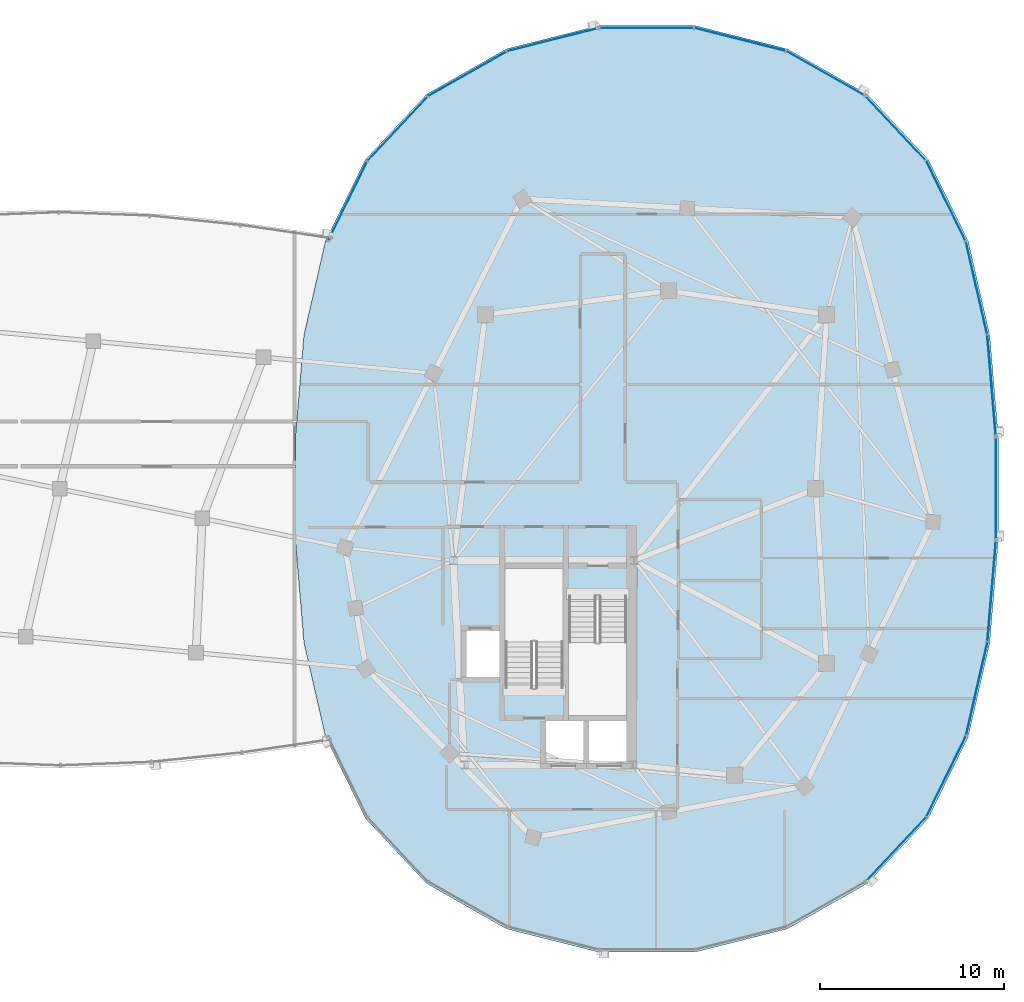
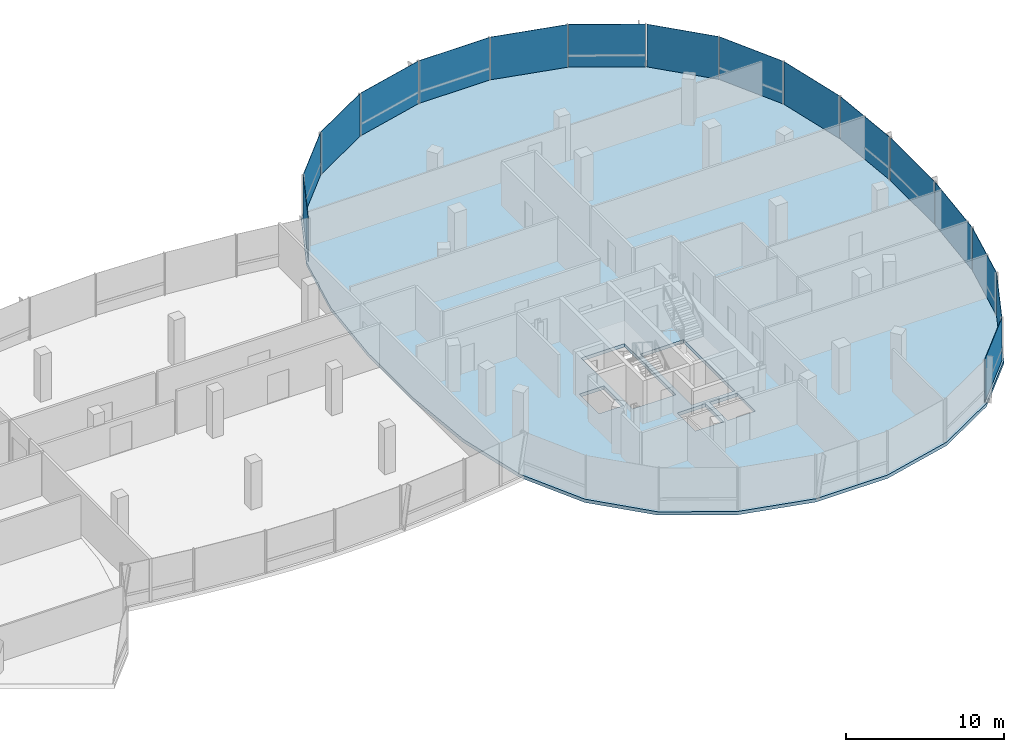
# One storey, part 13 of 26: 16 plates, 1 slab, 3 elements without a shape of their own.
"""IFC4 building model written with IfcOpenShell, lengths in metres."""

from ifc_helpers import new_model, si_unit, direction, frame, origin, origin_2d, place, context, subcontext, project, spatial, polyline, rectangle, outline, extrude, material, layer, layer_set, type_object, element, aggregate, save


model = new_model("IFC4")

# Units and contexts
model_context = context("Model", 3, precision=1e-05, world=origin(), true_north=direction((0.0, 1.0)))
body_context = subcontext(model_context, "Body", "Model", "MODEL_VIEW")
ifc_project = project(units=[si_unit("LENGTHUNIT", "METRE"), si_unit("AREAUNIT", "SQUARE_METRE"), si_unit("VOLUMEUNIT", "CUBIC_METRE"), si_unit("PLANEANGLEUNIT", "RADIAN"), si_unit("MASSUNIT", "GRAM", prefix="KILO"), si_unit("THERMODYNAMICTEMPERATUREUNIT", "KELVIN"), si_unit("POWERUNIT", "WATT")], contexts=[model_context])

# Site, building, storey
site_placement = place(None, origin())
site = spatial("IfcSite", under=ifc_project, at=site_placement, CompositionType="ELEMENT")
building_placement = place(site_placement, origin())
building = spatial("IfcBuilding", under=site, at=building_placement, Name="Cundina Bronze Exchange", CompositionType="ELEMENT")
storey_placement = place(building_placement, frame((0.0, 0.0, 261.199951171875)))
storey = spatial("IfcBuildingStorey", under=building, at=storey_placement, Name="L69", CompositionType="ELEMENT", Elevation=261.199951171875)

# Curtain wall, plates
ifc_material_1 = material(Name="Anodised Bronze Aluminium 6063-T6", Category="aluminium")
curtain_wall_type = type_object("IfcCurtainWallType", Name="CWS-SKG-BRG", PredefinedType="NOTDEFINED", material=ifc_material_1)
curtain_wall_1_placement = place(storey_placement, origin())
curtain_wall_1 = element("IfcCurtainWall", 1, at=curtain_wall_1_placement, inside=storey, type_object=curtain_wall_type, Name="L69 CW-06 Curtain Wall Run CWR-L69-E1", PredefinedType="NOTDEFINED")
ifc_material_2 = material(Name="Heat-Strengthened Solar-Control Bronze Safety Glass 28mm", Category="glass")
ifc_layer_1 = layer(ifc_material_2, 0.028076171875, Name="Heat-Strengthened Solar-Control Bronze Safety Glass 28mm", Category="glass")
ifc_layer_set_1 = layer_set([ifc_layer_1], Name="Heat-Strengthened Solar-Control Bronze Safety Glass 28mm")
plate_type_1 = type_object("IfcPlateType", Name="PLT-GLZ-VIS28", PredefinedType="CURTAIN_PANEL", material=ifc_layer_set_1)
plate_1_placement = place(storey_placement, frame((49.96923828125, 10.922607421875, 0.02001953125), z_axis=(0.0, 0.0, 1.0), x_axis=(-0.223284141459, 0.974753400698, 0.0)))
plate_1 = element("IfcPlate", 2, at=plate_1_placement, type_object=plate_type_1, Name="CW-06 Glazed Panel 2", PredefinedType="CURTAIN_PANEL", context=body_context, shape_type="SweptSolid", body=[
    extrude(rectangle(XDim=5.167724609375, YDim=0.028076171875, at=origin_2d()), origin(), (0.0, 0.0, 1.0), 3.300048828125),
])
plate_2_placement = place(storey_placement, frame((48.30126953125, 15.68017578125, 0.02001953125), z_axis=(0.0, 0.0, 1.0), x_axis=(-0.440503330345, 0.897750976582, 0.0)))
plate_2 = element("IfcPlate", 3, at=plate_2_placement, type_object=plate_type_1, Name="CW-06 Glazed Panel 3", PredefinedType="CURTAIN_PANEL", context=body_context, shape_type="SweptSolid", body=[
    extrude(rectangle(XDim=4.863525390625, YDim=0.028076171875, at=origin_2d()), origin(), (0.0, 0.0, 1.0), 3.300048828125),
])
plate_3_placement = place(storey_placement, frame((45.568115234375, 19.64501953125, 0.02001953125), z_axis=(0.0, 0.0, 1.0), x_axis=(-0.684343512797, 0.72915976061, 0.0)))
plate_3 = element("IfcPlate", 4, at=plate_3_placement, type_object=plate_type_1, Name="CW-06 Glazed Panel 4", PredefinedType="CURTAIN_PANEL", context=body_context, shape_type="SweptSolid", body=[
    extrude(rectangle(XDim=4.773193359375, YDim=0.028076171875, at=origin_2d()), origin(), (0.0, 0.0, 1.0), 3.300048828125),
])
plate_4_placement = place(storey_placement, frame((41.76171875, 22.6279296875, 0.02001953125), z_axis=(0.0, 0.0, 1.0), x_axis=(-0.869572506985, 0.493805280547, 0.0)))
plate_4 = element("IfcPlate", 5, at=plate_4_placement, type_object=plate_type_1, Name="CW-06 Glazed Panel 5", PredefinedType="CURTAIN_PANEL", context=body_context, shape_type="SweptSolid", body=[
    extrude(rectangle(XDim=4.907958984375, YDim=0.028076171875, at=origin_2d()), origin(), (0.0, 0.0, 1.0), 3.300048828125),
])
plate_5_placement = place(storey_placement, frame((32.0, 25.110107421875, 0.02001953125), z_axis=(0.0, 0.0, 1.0), x_axis=(-1.0, 0.0, 0.0)))
plate_5 = element("IfcPlate", 6, at=plate_5_placement, type_object=plate_type_1, Name="CW-06 Glazed Panel 7", PredefinedType="CURTAIN_PANEL", context=body_context, shape_type="SweptSolid", body=[
    extrude(rectangle(XDim=5.16796875, YDim=0.028076171875, at=origin_2d()), origin(), (0.0, 0.0, 1.0), 3.300048828125),
])

curtain_wall_2_placement = place(storey_placement, origin())
curtain_wall_2 = element("IfcCurtainWall", 7, at=curtain_wall_2_placement, inside=storey, type_object=curtain_wall_type, Name="L69 CW-06 Curtain Wall Run CWR-L69-E2", PredefinedType="NOTDEFINED")
plate_6_placement = place(storey_placement, frame((26.890625, 24.4814453125, 0.02001953125), z_axis=(0.0, 0.0, 1.0), x_axis=(-0.969731542251, -0.244173577528, 0.0)))
plate_6 = element("IfcPlate", 8, at=plate_6_placement, type_object=plate_type_1, Name="CW-06 Glazed Panel 1", PredefinedType="CURTAIN_PANEL", context=body_context, shape_type="SweptSolid", body=[
    extrude(rectangle(XDim=5.0908203125, YDim=0.028076171875, at=origin_2d()), origin(), (0.0, 0.0, 1.0), 3.300048828125),
])
plate_7_placement = place(storey_placement, frame((22.23828125, 22.6279296875, 0.02001953125), z_axis=(0.0, 0.0, 1.0), x_axis=(-0.869572506985, -0.493805280547, 0.0)))
plate_7 = element("IfcPlate", 9, at=plate_7_placement, type_object=plate_type_1, Name="CW-06 Glazed Panel 2", PredefinedType="CURTAIN_PANEL", context=body_context, shape_type="SweptSolid", body=[
    extrude(rectangle(XDim=4.907958984375, YDim=0.028076171875, at=origin_2d()), origin(), (0.0, 0.0, 1.0), 3.300048828125),
])
plate_8_placement = place(storey_placement, frame((18.431884765625, 19.64501953125, 0.02001953125), z_axis=(0.0, 0.0, 1.0), x_axis=(-0.684343512797, -0.72915976061, 0.0)))
plate_8 = element("IfcPlate", 10, at=plate_8_placement, type_object=plate_type_1, Name="CW-06 Glazed Panel 3", PredefinedType="CURTAIN_PANEL", context=body_context, shape_type="SweptSolid", body=[
    extrude(rectangle(XDim=4.773193359375, YDim=0.028076171875, at=origin_2d()), origin(), (0.0, 0.0, 1.0), 3.300048828125),
])
plate_9_placement = place(storey_placement, frame((15.69873046875, 15.68017578125, 0.02001953125), z_axis=(0.0, 0.0, 1.0), x_axis=(-0.440503330345, -0.897750976582, 0.0)))
plate_9 = element("IfcPlate", 11, at=plate_9_placement, type_object=plate_type_1, Name="CW-06 Glazed Panel 4", PredefinedType="CURTAIN_PANEL", context=body_context, shape_type="SweptSolid", body=[
    extrude(rectangle(XDim=4.863525390625, YDim=0.028076171875, at=origin_2d()), origin(), (0.0, 0.0, 1.0), 3.300048828125),
])
aggregate(curtain_wall_2, [plate_6, plate_7, plate_8, plate_9])

curtain_wall_3_placement = place(storey_placement, origin())
curtain_wall_3 = element("IfcCurtainWall", 12, at=curtain_wall_3_placement, inside=storey, type_object=curtain_wall_type, Name="L69 CW-06 Curtain Wall Run CWR-L69-E4", PredefinedType="NOTDEFINED")
plate_10_placement = place(storey_placement, frame((45.568115234375, -19.64501953125, 0.02001953125), z_axis=(0.0, 0.0, 1.0), x_axis=(0.684343512797, 0.72915976061, 0.0)))
plate_10 = element("IfcPlate", 13, at=plate_10_placement, type_object=plate_type_1, Name="CW-06 Glazed Panel 1", PredefinedType="CURTAIN_PANEL", context=body_context, shape_type="SweptSolid", body=[
    extrude(rectangle(XDim=4.773193359375, YDim=0.028076171875, at=origin_2d()), origin(), (0.0, 0.0, 1.0), 3.300048828125),
])
plate_11_placement = place(storey_placement, frame((48.30126953125, -15.68017578125, 0.02001953125), z_axis=(0.0, 0.0, 1.0), x_axis=(0.440503330345, 0.897750976582, 0.0)))
plate_11 = element("IfcPlate", 14, at=plate_11_placement, type_object=plate_type_1, Name="CW-06 Glazed Panel 2", PredefinedType="CURTAIN_PANEL", context=body_context, shape_type="SweptSolid", body=[
    extrude(rectangle(XDim=4.863525390625, YDim=0.028076171875, at=origin_2d()), origin(), (0.0, 0.0, 1.0), 3.300048828125),
])
plate_12_placement = place(storey_placement, frame((50.78662109375, -5.605712890625, 0.02001953125), z_axis=(0.0, 0.0, 1.0), x_axis=(0.083747411454, 0.996487015006, 0.0)))
plate_12 = element("IfcPlate", 15, at=plate_12_placement, type_object=plate_type_1, Name="CW-06 Glazed Panel 4", PredefinedType="CURTAIN_PANEL", context=body_context, shape_type="SweptSolid", body=[
    extrude(rectangle(XDim=5.474609375, YDim=0.028076171875, at=origin_2d()), origin(), (0.0, 0.0, 1.0), 3.300048828125),
])
plate_13_placement = place(storey_placement, frame((51.01904296875, 0.0, 0.02001953125), z_axis=(0.0, 0.0, 1.0), x_axis=(0.0, 1.0, 0.0)))
plate_13 = element("IfcPlate", 16, at=plate_13_placement, type_object=plate_type_1, Name="CW-06 Glazed Panel 5", PredefinedType="CURTAIN_PANEL", context=body_context, shape_type="SweptSolid", body=[
    extrude(rectangle(XDim=5.597900390625, YDim=0.028076171875, at=origin_2d()), origin(), (0.0, 0.0, 1.0), 3.300048828125),
])

# Plate
ifc_material_3 = material(Name="Dark Bronze Spandrel Glass Panel 32mm", Category="glass")
ifc_layer_2 = layer(ifc_material_3, 0.031982421875, Name="Dark Bronze Spandrel Glass Panel 32mm", Category="glass")
ifc_layer_set_2 = layer_set([ifc_layer_2], Name="Dark Bronze Spandrel Glass Panel 32mm")
plate_type_2 = type_object("IfcPlateType", Name="PLT-SPN-BRZ32", PredefinedType="CURTAIN_PANEL", material=ifc_layer_set_2)
plate_14_placement = place(storey_placement, frame((50.78662109375, 5.605712890625, 0.02001953125), z_axis=(0.0, 0.0, 1.0), x_axis=(-0.083747411454, 0.996487015006, 0.0)))
plate_14 = element("IfcPlate", 17, at=plate_14_placement, type_object=plate_type_2, Name="CW-06 Glazed Panel 1", PredefinedType="CURTAIN_PANEL", context=body_context, shape_type="SweptSolid", body=[
    extrude(rectangle(XDim=5.474609375, YDim=0.031982421875, at=origin_2d()), origin(), (0.0, 0.0, 1.0), 3.300048828125),
])

plate_15_placement = place(storey_placement, frame((37.109375, 24.4814453125, 0.02001953125), z_axis=(0.0, 0.0, 1.0), x_axis=(-0.969731542251, 0.244173577528, 0.0)))
plate_15 = element("IfcPlate", 18, at=plate_15_placement, type_object=plate_type_2, Name="CW-06 Glazed Panel 6", PredefinedType="CURTAIN_PANEL", context=body_context, shape_type="SweptSolid", body=[
    extrude(rectangle(XDim=5.0908203125, YDim=0.031982421875, at=origin_2d()), origin(), (0.0, 0.0, 1.0), 3.300048828125),
])

aggregate(curtain_wall_1, [plate_14, plate_1, plate_2, plate_3, plate_4, plate_15, plate_5])

plate_16_placement = place(storey_placement, frame((49.96923828125, -10.922607421875, 0.02001953125), z_axis=(0.0, 0.0, 1.0), x_axis=(0.223284141459, 0.974753400698, 0.0)))
plate_16 = element("IfcPlate", 19, at=plate_16_placement, type_object=plate_type_2, Name="CW-06 Glazed Panel 3", PredefinedType="CURTAIN_PANEL", context=body_context, shape_type="SweptSolid", body=[
    extrude(rectangle(XDim=5.167724609375, YDim=0.031982421875, at=origin_2d()), origin(), (0.0, 0.0, 1.0), 3.300048828125),
])

aggregate(curtain_wall_3, [plate_10, plate_11, plate_16, plate_12, plate_13])

# Slab
ifc_material_4 = material(Name="Concrete C50/60", Category="concrete")
ifc_layer_3 = layer(ifc_material_4, 0.260009765625, Name="Concrete C50/60", Category="concrete")
ifc_layer_set_3 = layer_set([ifc_layer_3], Name="Concrete C50/60")
slab_type = type_object("IfcSlabType", Name="SLB-OFF-260", PredefinedType="FLOOR", material=ifc_layer_set_3)
slab_placement = place(storey_placement, frame((0.0, 0.0, -0.260009765625)))
element("IfcSlab", 20, at=slab_placement, inside=storey, type_object=slab_type, Name="L69 Leg E Structural Floor Slab", PredefinedType="FLOOR", context=body_context, shape_type="SweptSolid", body=[
    extrude(outline(polyline([(51.14892578125, 2.843994140625), (50.68310546875, 8.388916015625), (49.509033203125, 13.513916015625), (47.326904296875, 17.9609375), (43.9990234375, 21.507080078125), (39.653076171875, 23.97509765625), (34.62890625, 25.239990234375), (29.37109375, 25.239990234375), (24.346923828125, 23.97509765625), (20.0009765625, 21.507080078125), (16.673095703125, 17.9609375), (14.490966796875, 13.513916015625), (13.31689453125, 8.388916015625), (12.85107421875, 2.843994140625), (12.85107421875, -2.843994140625), (13.31689453125, -8.388916015625), (14.490966796875, -13.513916015625), (16.673095703125, -17.9609375), (20.0009765625, -21.507080078125), (24.346923828125, -23.97509765625), (29.37109375, -25.239990234375), (34.62890625, -25.239990234375), (39.653076171875, -23.97509765625), (43.9990234375, -21.507080078125), (47.326904296875, -17.9609375), (49.509033203125, -13.513916015625), (50.68310546875, -8.388916015625), (51.14892578125, -2.843994140625), (51.14892578125, 2.843994140625)]), holes=[polyline([(27.739990234375, -5.85009765625), (27.739990234375, -12.35009765625), (30.89990234375, -12.35009765625), (30.89990234375, -5.85009765625), (27.739990234375, -5.85009765625)]), polyline([(27.43994140625, -10.85009765625), (27.43994140625, -4.35009765625), (24.280029296875, -4.35009765625), (24.280029296875, -10.85009765625), (27.43994140625, -10.85009765625)]), polyline([(22.179931640625, -7.75), (23.97998046875, -7.75), (23.97998046875, -10.25), (22.179931640625, -10.25), (22.179931640625, -7.75)]), polyline([(28.85009765625, -12.64990234375), (30.89990234375, -12.64990234375), (30.89990234375, -14.949951171875), (28.85009765625, -14.949951171875), (28.85009765625, -12.64990234375)]), polyline([(26.5, -12.64990234375), (28.550048828125, -12.64990234375), (28.550048828125, -14.949951171875), (26.5, -14.949951171875), (26.5, -12.64990234375)])]), origin(), (0.0, 0.0, 1.0), 0.260009765625),
])

save(model, "model.ifc")
